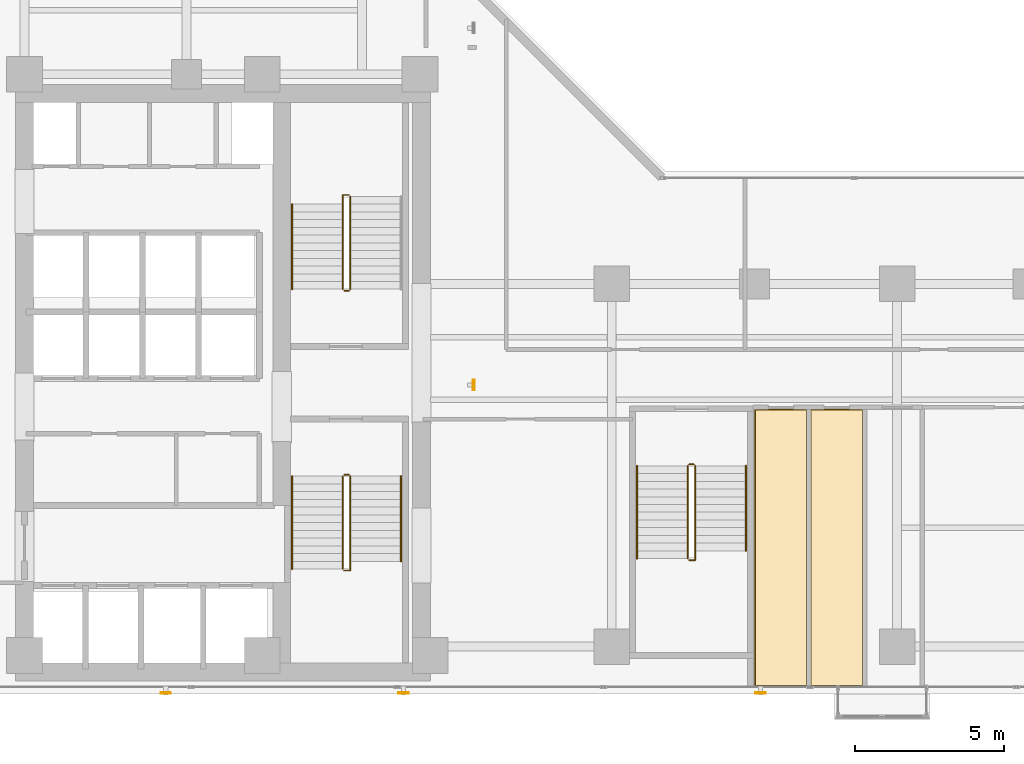
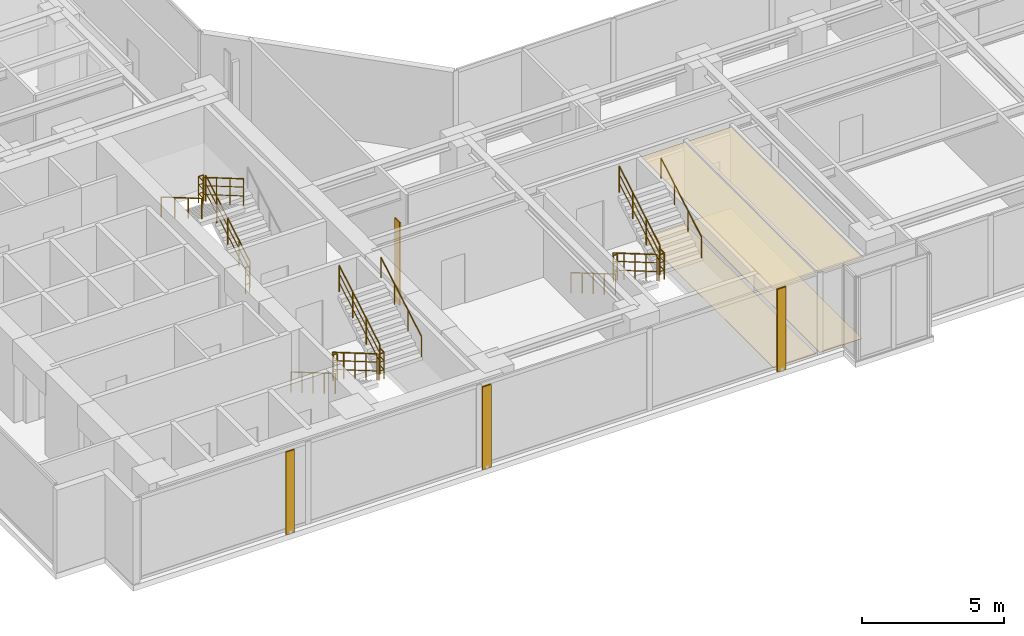
# One storey, part 24 of 27: 17 railings, 4 coverings, 4 shading devices.
"""IFC4 building model written with IfcOpenShell, lengths in metres."""

from ifc_helpers import new_model, si_unit, direction, frame, origin, origin_2d, place, context, subcontext, project, spatial, polyline, hollow_rectangle, circle, outline, extrude, material, layer, layer_set, material_profile, profile_set, type_object, element, save


model = new_model("IFC4")

# Units and contexts
model_context = context("Model", 3, precision=1e-05, world=origin(), true_north=direction((0.0, 1.0)))
body_context = subcontext(model_context, "Body", "Model", "MODEL_VIEW")
ifc_project = project(units=[si_unit("LENGTHUNIT", "METRE"), si_unit("AREAUNIT", "SQUARE_METRE"), si_unit("VOLUMEUNIT", "CUBIC_METRE"), si_unit("PLANEANGLEUNIT", "RADIAN"), si_unit("MASSUNIT", "GRAM", prefix="KILO")], contexts=[model_context])

# Site, building, storey
site_placement = place(None, origin())
site = spatial("IfcSite", under=ifc_project, at=site_placement, CompositionType="ELEMENT")
building_placement = place(site_placement, origin())
building = spatial("IfcBuilding", under=site, at=building_placement, Name="Kolvaren Waterfront Exchange", CompositionType="ELEMENT")
storey_placement = place(building_placement, frame((0.0, 0.0, 161.39990234375)))
storey = spatial("IfcBuildingStorey", under=building, at=storey_placement, Name="L41", CompositionType="ELEMENT", Elevation=161.39990234375)

# Coverings
ifc_material_1 = material(Name="Mineral fibre acoustic ceiling tile")
ifc_layer_1 = layer(ifc_material_1, 0.02490234375, Name="Mineral fibre acoustic ceiling tile")
ifc_layer_set_1 = layer_set([ifc_layer_1], Name="Mineral fibre acoustic ceiling tile")
covering_type_1 = type_object("IfcCoveringType", Name="ARC-CEIL-ACOUSTIC-25", PredefinedType="CEILING", material=ifc_layer_set_1)
covering_1_placement = place(storey_placement, frame((0.0, 0.0, 3.445068359375)))
element("IfcCovering", 1, at=covering_1_placement, inside=storey, type_object=covering_type_1, Name="L41 acoustic suspended ceiling 2", PredefinedType="CEILING", context=body_context, shape_type="SweptSolid", body=[
    extrude(outline(polyline([(33.784912109375, 3.864990234375), (33.784912109375, 13.195068359375), (32.0, 13.195068359375), (32.0, 4.800048828125), (31.9951171875, 4.800048828125), (31.9951171875, 3.864990234375), (33.784912109375, 3.864990234375)])), origin(), (0.0, 0.0, 1.0), 0.025146484375),
])
covering_2_placement = place(storey_placement, frame((0.0, 0.0, 3.445068359375)))
element("IfcCovering", 2, at=covering_2_placement, inside=storey, type_object=covering_type_1, Name="L41 acoustic suspended ceiling 3", PredefinedType="CEILING", context=body_context, shape_type="SweptSolid", body=[
    extrude(outline(polyline([(35.6650390625, 3.864990234375), (35.6650390625, 13.195068359375), (33.875, 13.195068359375), (33.875, 3.864990234375), (35.6650390625, 3.864990234375)])), origin(), (0.0, 0.0, 1.0), 0.025146484375),
])

# Shading devices
ifc_material_2 = material(Name="Anodised bronze aluminium 6063-T6", Category="aluminium")
ifc_material_profile = material_profile(ifc_material_2, hollow_rectangle(XDim=0.06005859375, YDim=0.35009765625, WallThickness=0.0048828125, at=origin_2d()), Name="BRZ-FIN-350x60x5")
ifc_profile_set = profile_set([ifc_material_profile], Name="Anodised bronze aluminium 6063-T6")
shading_device_type = type_object("IfcShadingDeviceType", Name="ARC-FIN-350", PredefinedType="USERDEFINED", material=ifc_profile_set)
for number, where, z_axis, x_axis, name in (
    (3, (12.199951171875, 3.639892578125, 0.0), (0.0, 0.0, 1.0), (0.0, -1.0, 0.0), "L41 anodised bronze solar shading fin FIN-L41-S1"),
    (4, (20.199951171875, 3.639892578125, 0.0), (0.0, 0.0, 1.0), (0.0, -1.0, 0.0), "L41 anodised bronze solar shading fin FIN-L41-S2"),
    (5, (32.199951171875, 3.639892578125, 0.0), (0.0, 0.0, 1.0), (0.0, -1.0, 0.0), "L41 anodised bronze solar shading fin FIN-L41-S3"),
    (6, (22.56005859375, 14.0, 0.0), (0.0, 0.0, 1.0), (1.0, 0.0, 0.0), "L41 anodised bronze solar shading fin FIN-L41-E1"),
):
    element("IfcShadingDevice", number, at=place(storey_placement, frame(where, z_axis=z_axis, x_axis=x_axis)), inside=storey, type_object=shading_device_type, Name=name, ObjectType="SOLAR FIN", PredefinedType="USERDEFINED", context=body_context, shape_type="SweptSolid", body=[
        extrude(hollow_rectangle(XDim=0.06005859375, YDim=0.35009765625, WallThickness=0.0048828125, at=origin_2d()), origin(), (0.0, 0.0, 1.0), 3.56005859375),
    ])

# Coverings
ifc_material_3 = material(Name="Slip-resistant porcelain tile")
ifc_layer_2 = layer(ifc_material_3, 0.014892578125, Name="Slip-resistant porcelain tile")
ifc_layer_set_2 = layer_set([ifc_layer_2], Name="Slip-resistant porcelain tile")
covering_type_2 = type_object("IfcCoveringType", Name="ARC-FLR-PORC-15", PredefinedType="FLOORING", material=ifc_layer_set_2)
covering_3_placement = place(storey_placement, origin())
element("IfcCovering", 7, at=covering_3_placement, inside=storey, type_object=covering_type_2, Name="L41 floor finish 2", PredefinedType="FLOORING", context=body_context, shape_type="SweptSolid", body=[
    extrude(outline(polyline([(32.030029296875, 13.159912109375), (32.030029296875, 3.89990234375), (33.75, 3.89990234375), (33.75, 13.159912109375), (32.030029296875, 13.159912109375)])), origin(), (0.0, 0.0, 1.0), 0.01513671875),
])
covering_4_placement = place(storey_placement, origin())
element("IfcCovering", 8, at=covering_4_placement, inside=storey, type_object=covering_type_2, Name="L41 floor finish 3", PredefinedType="FLOORING", context=body_context, shape_type="SweptSolid", body=[
    extrude(outline(polyline([(33.909912109375, 13.159912109375), (33.909912109375, 3.89990234375), (35.6298828125, 3.89990234375), (35.6298828125, 13.159912109375), (33.909912109375, 13.159912109375)])), origin(), (0.0, 0.0, 1.0), 0.01513671875),
])

# Railings
ifc_material_4 = material(Name="Stainless steel 316", Category="steel")
railing_type_1 = type_object("IfcRailingType", Name="ARC-GUARD-STAIR", PredefinedType="GUARDRAIL", material=ifc_material_4)
railing_1_placement = place(storey_placement, frame((18.14990234375, 10.929931640625, 0.152099609375)))
element("IfcRailing", 9, at=railing_1_placement, inside=storey, type_object=railing_type_1, Name="L41 ST1 stair guard 1", PredefinedType="GUARDRAIL", context=body_context, shape_type="SweptSolid", body=[
    extrude(circle(Radius=0.02392578125, at=origin_2d()), frame((0.0, 0.0, 1.1259765625), z_axis=(0.0, -0.86329090724, 0.504706656858), x_axis=(1.0, 0.0, 0.0)), (0.0, 0.0, 1.0), 3.614013671875),
    extrude(circle(Radius=0.01611328125, at=origin_2d()), frame((0.0, 0.0, 0.390869140625), z_axis=(0.0, -0.86329090724, 0.504706656858), x_axis=(1.0, 0.0, 0.0)), (0.0, 0.0, 1.0), 3.614013671875),
    extrude(circle(Radius=0.01611328125, at=origin_2d()), frame((0.0, 0.0, 0.7705078125), z_axis=(0.0, -0.86329090724, 0.504706656858), x_axis=(1.0, 0.0, 0.0)), (0.0, 0.0, 1.0), 3.614013671875),
    extrude(circle(Radius=0.02099609375, at=origin_2d()), origin(), (0.0, 0.0, 1.0), 1.101806640625),
    extrude(circle(Radius=0.02099609375, at=origin_2d()), frame((0.0, -0.780029296875, 0.4560546875)), (0.0, 0.0, 1.0), 1.101806640625),
    extrude(circle(Radius=0.02099609375, at=origin_2d()), frame((0.0, -1.56005859375, 0.912109375)), (0.0, 0.0, 1.0), 1.101806640625),
    extrude(circle(Radius=0.02099609375, at=origin_2d()), frame((0.0, -2.33984375, 1.367919921875)), (0.0, 0.0, 1.0), 1.101806640625),
    extrude(circle(Radius=0.02099609375, at=origin_2d()), frame((0.0, -3.119873046875, 1.823974609375)), (0.0, 0.0, 1.0), 1.101806640625),
])
railing_2_placement = place(storey_placement, frame((18.199951171875, 7.760009765625, 1.97607421875)))
element("IfcRailing", 10, at=railing_2_placement, inside=storey, type_object=railing_type_1, Name="L41 ST1 stair guard 2", PredefinedType="GUARDRAIL", context=body_context, shape_type="SweptSolid", body=[
    extrude(circle(Radius=0.02392578125, at=origin_2d()), frame((0.0, 0.0, 1.1259765625), z_axis=(1.0, 0.0, 0.0), x_axis=(0.0, 1.0, 0.0)), (0.0, 0.0, 1.0), 0.2099609375),
    extrude(circle(Radius=0.01611328125, at=origin_2d()), frame((0.0, 0.0, 0.390869140625), z_axis=(1.0, 0.0, 0.0), x_axis=(0.0, 1.0, 0.0)), (0.0, 0.0, 1.0), 0.2099609375),
    extrude(circle(Radius=0.01611328125, at=origin_2d()), frame((0.0, 0.0, 0.7705078125), z_axis=(1.0, 0.0, 0.0), x_axis=(0.0, 1.0, 0.0)), (0.0, 0.0, 1.0), 0.2099609375),
    extrude(circle(Radius=0.02392578125, at=origin_2d()), frame((0.2099609375, 0.0, 1.1259765625), z_axis=(0.0, 1.0, 0.0), x_axis=(-1.0, 0.0, 0.0)), (0.0, 0.0, 1.0), 0.31005859375),
    extrude(circle(Radius=0.01611328125, at=origin_2d()), frame((0.2099609375, 0.0, 0.390869140625), z_axis=(0.0, 1.0, 0.0), x_axis=(-1.0, 0.0, 0.0)), (0.0, 0.0, 1.0), 0.31005859375),
    extrude(circle(Radius=0.01611328125, at=origin_2d()), frame((0.2099609375, 0.0, 0.7705078125), z_axis=(0.0, 1.0, 0.0), x_axis=(-1.0, 0.0, 0.0)), (0.0, 0.0, 1.0), 0.31005859375),
    extrude(circle(Radius=0.02099609375, at=origin_2d()), origin(), (0.0, 0.0, 1.0), 1.101806640625),
    extrude(circle(Radius=0.02099609375, at=origin_2d()), frame((0.2099609375, 0.0, 0.0)), (0.0, 0.0, 1.0), 1.101806640625),
    extrude(circle(Radius=0.02099609375, at=origin_2d()), frame((0.2099609375, 0.31005859375, 0.0)), (0.0, 0.0, 1.0), 1.101806640625),
])
railing_3_placement = place(storey_placement, frame((18.409912109375, 8.070068359375, 2.128173828125)))
element("IfcRailing", 11, at=railing_3_placement, inside=storey, type_object=railing_type_1, Name="L41 ST1 stair guard 3", PredefinedType="GUARDRAIL", context=body_context, shape_type="SweptSolid", body=[
    extrude(circle(Radius=0.02392578125, at=origin_2d()), frame((0.0, 0.0, 1.1259765625), z_axis=(0.0, 0.86330272217, 0.504686447108), x_axis=(-1.0, 0.0, 0.0)), (0.0, 0.0, 1.0), 3.312744140625),
    extrude(circle(Radius=0.01611328125, at=origin_2d()), frame((0.0, 0.0, 0.390869140625), z_axis=(0.0, 0.86330272217, 0.504686447108), x_axis=(-1.0, 0.0, 0.0)), (0.0, 0.0, 1.0), 3.312744140625),
    extrude(circle(Radius=0.01611328125, at=origin_2d()), frame((0.0, 0.0, 0.7705078125), z_axis=(0.0, 0.86330272217, 0.504686447108), x_axis=(-1.0, 0.0, 0.0)), (0.0, 0.0, 1.0), 3.312744140625),
    extrude(circle(Radius=0.02099609375, at=origin_2d()), origin(), (0.0, 0.0, 1.0), 1.101806640625),
    extrude(circle(Radius=0.02099609375, at=origin_2d()), frame((0.0, 0.953369140625, 0.557373046875)), (0.0, 0.0, 1.0), 1.101806640625),
    extrude(circle(Radius=0.02099609375, at=origin_2d()), frame((0.0, 1.906494140625, 1.114501953125)), (0.0, 0.0, 1.0), 1.101806640625),
    extrude(circle(Radius=0.02099609375, at=origin_2d()), frame((0.0, 2.85986328125, 1.671875)), (0.0, 0.0, 1.0), 1.101806640625),
])
railing_4_placement = place(storey_placement, frame((18.199951171875, 10.97998046875, 0.0)))
element("IfcRailing", 12, at=railing_4_placement, inside=storey, type_object=railing_type_1, Name="L41 ST1 stair guard 4", PredefinedType="GUARDRAIL", context=body_context, shape_type="SweptSolid", body=[
    extrude(circle(Radius=0.02392578125, at=origin_2d()), frame((0.0, 0.0, 1.1259765625), z_axis=(1.0, 0.0, 0.0), x_axis=(0.0, 1.0, 0.0)), (0.0, 0.0, 1.0), 0.16015625),
    extrude(circle(Radius=0.01611328125, at=origin_2d()), frame((0.0, 0.0, 0.390869140625), z_axis=(1.0, 0.0, 0.0), x_axis=(0.0, 1.0, 0.0)), (0.0, 0.0, 1.0), 0.16015625),
    extrude(circle(Radius=0.01611328125, at=origin_2d()), frame((0.0, 0.0, 0.7705078125), z_axis=(1.0, 0.0, 0.0), x_axis=(0.0, 1.0, 0.0)), (0.0, 0.0, 1.0), 0.16015625),
    extrude(circle(Radius=0.02099609375, at=origin_2d()), origin(), (0.0, 0.0, 1.0), 1.101806640625),
    extrude(circle(Radius=0.02099609375, at=origin_2d()), frame((0.16015625, 0.0, 0.0)), (0.0, 0.0, 1.0), 1.101806640625),
])
railing_5_placement = place(storey_placement, frame((18.409912109375, 17.219970703125, 0.152099609375)))
element("IfcRailing", 13, at=railing_5_placement, inside=storey, type_object=railing_type_1, Name="L41 ST2 stair guard 1", PredefinedType="GUARDRAIL", context=body_context, shape_type="SweptSolid", body=[
    extrude(circle(Radius=0.02392578125, at=origin_2d()), frame((0.0, 0.0, 1.1259765625), z_axis=(0.0, 0.86330811405, 0.504677223793), x_axis=(-1.0, 0.0, 0.0)), (0.0, 0.0, 1.0), 3.6142578125),
    extrude(circle(Radius=0.01611328125, at=origin_2d()), frame((0.0, 0.0, 0.390869140625), z_axis=(0.0, 0.86330811405, 0.504677223793), x_axis=(-1.0, 0.0, 0.0)), (0.0, 0.0, 1.0), 3.6142578125),
    extrude(circle(Radius=0.01611328125, at=origin_2d()), frame((0.0, 0.0, 0.7705078125), z_axis=(0.0, 0.86330811405, 0.504677223793), x_axis=(-1.0, 0.0, 0.0)), (0.0, 0.0, 1.0), 3.6142578125),
    extrude(circle(Radius=0.02099609375, at=origin_2d()), origin(), (0.0, 0.0, 1.0), 1.101806640625),
    extrude(circle(Radius=0.02099609375, at=origin_2d()), frame((0.0, 0.780029296875, 0.4560546875)), (0.0, 0.0, 1.0), 1.101806640625),
    extrude(circle(Radius=0.02099609375, at=origin_2d()), frame((0.0, 1.56005859375, 0.912109375)), (0.0, 0.0, 1.0), 1.101806640625),
    extrude(circle(Radius=0.02099609375, at=origin_2d()), frame((0.0, 2.340087890625, 1.367919921875)), (0.0, 0.0, 1.0), 1.101806640625),
    extrude(circle(Radius=0.02099609375, at=origin_2d()), frame((0.0, 3.1201171875, 1.823974609375)), (0.0, 0.0, 1.0), 1.101806640625),
])
railing_6_placement = place(storey_placement, frame((18.360107421875, 20.389892578125, 1.97607421875)))
element("IfcRailing", 14, at=railing_6_placement, inside=storey, type_object=railing_type_1, Name="L41 ST2 stair guard 2", PredefinedType="GUARDRAIL", context=body_context, shape_type="SweptSolid", body=[
    extrude(circle(Radius=0.02392578125, at=origin_2d()), frame((0.0, 0.0, 1.1259765625), z_axis=(-1.0, 0.0, 0.0), x_axis=(0.0, -1.0, 0.0)), (0.0, 0.0, 1.0), 0.210205078125),
    extrude(circle(Radius=0.01611328125, at=origin_2d()), frame((0.0, 0.0, 0.390869140625), z_axis=(-1.0, 0.0, 0.0), x_axis=(0.0, -1.0, 0.0)), (0.0, 0.0, 1.0), 0.210205078125),
    extrude(circle(Radius=0.01611328125, at=origin_2d()), frame((0.0, 0.0, 0.7705078125), z_axis=(-1.0, 0.0, 0.0), x_axis=(0.0, -1.0, 0.0)), (0.0, 0.0, 1.0), 0.210205078125),
    extrude(circle(Radius=0.02392578125, at=origin_2d()), frame((-0.210205078125, 0.0, 1.1259765625), z_axis=(0.0, -1.0, 0.0), x_axis=(1.0, 0.0, 0.0)), (0.0, 0.0, 1.0), 0.309814453125),
    extrude(circle(Radius=0.01611328125, at=origin_2d()), frame((-0.210205078125, 0.0, 0.390869140625), z_axis=(0.0, -1.0, 0.0), x_axis=(1.0, 0.0, 0.0)), (0.0, 0.0, 1.0), 0.309814453125),
    extrude(circle(Radius=0.01611328125, at=origin_2d()), frame((-0.210205078125, 0.0, 0.7705078125), z_axis=(0.0, -1.0, 0.0), x_axis=(1.0, 0.0, 0.0)), (0.0, 0.0, 1.0), 0.309814453125),
    extrude(circle(Radius=0.02099609375, at=origin_2d()), origin(), (0.0, 0.0, 1.0), 1.101806640625),
    extrude(circle(Radius=0.02099609375, at=origin_2d()), frame((-0.210205078125, 0.0, 0.0)), (0.0, 0.0, 1.0), 1.101806640625),
    extrude(circle(Radius=0.02099609375, at=origin_2d()), frame((-0.210205078125, -0.309814453125, 0.0)), (0.0, 0.0, 1.0), 1.101806640625),
])
railing_7_placement = place(storey_placement, frame((18.14990234375, 20.080078125, 2.128173828125)))
element("IfcRailing", 15, at=railing_7_placement, inside=storey, type_object=railing_type_1, Name="L41 ST2 stair guard 3", PredefinedType="GUARDRAIL", context=body_context, shape_type="SweptSolid", body=[
    extrude(circle(Radius=0.02392578125, at=origin_2d()), frame((0.0, 0.0, 1.1259765625), z_axis=(0.0, -0.863321491973, 0.504654338629), x_axis=(1.0, 0.0, 0.0)), (0.0, 0.0, 1.0), 3.31298828125),
    extrude(circle(Radius=0.01611328125, at=origin_2d()), frame((0.0, 0.0, 0.390869140625), z_axis=(0.0, -0.863321491973, 0.504654338629), x_axis=(1.0, 0.0, 0.0)), (0.0, 0.0, 1.0), 3.31298828125),
    extrude(circle(Radius=0.01611328125, at=origin_2d()), frame((0.0, 0.0, 0.7705078125), z_axis=(0.0, -0.863321491973, 0.504654338629), x_axis=(1.0, 0.0, 0.0)), (0.0, 0.0, 1.0), 3.31298828125),
    extrude(circle(Radius=0.02099609375, at=origin_2d()), origin(), (0.0, 0.0, 1.0), 1.101806640625),
    extrude(circle(Radius=0.02099609375, at=origin_2d()), frame((0.0, -0.953369140625, 0.557373046875)), (0.0, 0.0, 1.0), 1.101806640625),
    extrude(circle(Radius=0.02099609375, at=origin_2d()), frame((0.0, -1.90673828125, 1.114501953125)), (0.0, 0.0, 1.0), 1.101806640625),
    extrude(circle(Radius=0.02099609375, at=origin_2d()), frame((0.0, -2.860107421875, 1.671875)), (0.0, 0.0, 1.0), 1.101806640625),
])
railing_8_placement = place(storey_placement, frame((18.360107421875, 17.169921875, 0.0)))
element("IfcRailing", 16, at=railing_8_placement, inside=storey, type_object=railing_type_1, Name="L41 ST2 stair guard 4", PredefinedType="GUARDRAIL", context=body_context, shape_type="SweptSolid", body=[
    extrude(circle(Radius=0.02392578125, at=origin_2d()), frame((0.0, 0.0, 1.1259765625), z_axis=(-1.0, 0.0, 0.0), x_axis=(0.0, -1.0, 0.0)), (0.0, 0.0, 1.0), 0.16015625),
    extrude(circle(Radius=0.01611328125, at=origin_2d()), frame((0.0, 0.0, 0.390869140625), z_axis=(-1.0, 0.0, 0.0), x_axis=(0.0, -1.0, 0.0)), (0.0, 0.0, 1.0), 0.16015625),
    extrude(circle(Radius=0.01611328125, at=origin_2d()), frame((0.0, 0.0, 0.7705078125), z_axis=(-1.0, 0.0, 0.0), x_axis=(0.0, -1.0, 0.0)), (0.0, 0.0, 1.0), 0.16015625),
    extrude(circle(Radius=0.02099609375, at=origin_2d()), origin(), (0.0, 0.0, 1.0), 1.101806640625),
    extrude(circle(Radius=0.02099609375, at=origin_2d()), frame((-0.16015625, 0.0, 0.0)), (0.0, 0.0, 1.0), 1.101806640625),
])
railing_9_placement = place(storey_placement, frame((29.75, 11.280029296875, 0.152099609375)))
element("IfcRailing", 17, at=railing_9_placement, inside=storey, type_object=railing_type_1, Name="L41 ST3 stair guard 1", PredefinedType="GUARDRAIL", context=body_context, shape_type="SweptSolid", body=[
    extrude(circle(Radius=0.02392578125, at=origin_2d()), frame((0.0, 0.0, 1.1259765625), z_axis=(0.0, -0.86330811405, 0.504677223793), x_axis=(1.0, 0.0, 0.0)), (0.0, 0.0, 1.0), 3.6142578125),
    extrude(circle(Radius=0.01611328125, at=origin_2d()), frame((0.0, 0.0, 0.390869140625), z_axis=(0.0, -0.86330811405, 0.504677223793), x_axis=(1.0, 0.0, 0.0)), (0.0, 0.0, 1.0), 3.6142578125),
    extrude(circle(Radius=0.01611328125, at=origin_2d()), frame((0.0, 0.0, 0.7705078125), z_axis=(0.0, -0.86330811405, 0.504677223793), x_axis=(1.0, 0.0, 0.0)), (0.0, 0.0, 1.0), 3.6142578125),
    extrude(circle(Radius=0.02099609375, at=origin_2d()), origin(), (0.0, 0.0, 1.0), 1.101806640625),
    extrude(circle(Radius=0.02099609375, at=origin_2d()), frame((0.0, -0.780029296875, 0.4560546875)), (0.0, 0.0, 1.0), 1.101806640625),
    extrude(circle(Radius=0.02099609375, at=origin_2d()), frame((0.0, -1.56005859375, 0.912109375)), (0.0, 0.0, 1.0), 1.101806640625),
    extrude(circle(Radius=0.02099609375, at=origin_2d()), frame((0.0, -2.340087890625, 1.367919921875)), (0.0, 0.0, 1.0), 1.101806640625),
    extrude(circle(Radius=0.02099609375, at=origin_2d()), frame((0.0, -3.1201171875, 1.823974609375)), (0.0, 0.0, 1.0), 1.101806640625),
])
railing_10_placement = place(storey_placement, frame((29.800048828125, 8.110107421875, 1.97607421875)))
element("IfcRailing", 18, at=railing_10_placement, inside=storey, type_object=railing_type_1, Name="L41 ST3 stair guard 2", PredefinedType="GUARDRAIL", context=body_context, shape_type="SweptSolid", body=[
    extrude(circle(Radius=0.02392578125, at=origin_2d()), frame((0.0, 0.0, 1.1259765625), z_axis=(1.0, 0.0, 0.0), x_axis=(0.0, 1.0, 0.0)), (0.0, 0.0, 1.0), 0.2099609375),
    extrude(circle(Radius=0.01611328125, at=origin_2d()), frame((0.0, 0.0, 0.390869140625), z_axis=(1.0, 0.0, 0.0), x_axis=(0.0, 1.0, 0.0)), (0.0, 0.0, 1.0), 0.2099609375),
    extrude(circle(Radius=0.01611328125, at=origin_2d()), frame((0.0, 0.0, 0.7705078125), z_axis=(1.0, 0.0, 0.0), x_axis=(0.0, 1.0, 0.0)), (0.0, 0.0, 1.0), 0.2099609375),
    extrude(circle(Radius=0.02392578125, at=origin_2d()), frame((0.2099609375, 0.0, 1.1259765625), z_axis=(0.0, 1.0, 0.0), x_axis=(-1.0, 0.0, 0.0)), (0.0, 0.0, 1.0), 0.309814453125),
    extrude(circle(Radius=0.01611328125, at=origin_2d()), frame((0.2099609375, 0.0, 0.390869140625), z_axis=(0.0, 1.0, 0.0), x_axis=(-1.0, 0.0, 0.0)), (0.0, 0.0, 1.0), 0.309814453125),
    extrude(circle(Radius=0.01611328125, at=origin_2d()), frame((0.2099609375, 0.0, 0.7705078125), z_axis=(0.0, 1.0, 0.0), x_axis=(-1.0, 0.0, 0.0)), (0.0, 0.0, 1.0), 0.309814453125),
    extrude(circle(Radius=0.02099609375, at=origin_2d()), origin(), (0.0, 0.0, 1.0), 1.101806640625),
    extrude(circle(Radius=0.02099609375, at=origin_2d()), frame((0.2099609375, 0.0, 0.0)), (0.0, 0.0, 1.0), 1.101806640625),
    extrude(circle(Radius=0.02099609375, at=origin_2d()), frame((0.2099609375, 0.309814453125, 0.0)), (0.0, 0.0, 1.0), 1.101806640625),
])
railing_11_placement = place(storey_placement, frame((30.010009765625, 8.419921875, 2.128173828125)))
element("IfcRailing", 19, at=railing_11_placement, inside=storey, type_object=railing_type_1, Name="L41 ST3 stair guard 3", PredefinedType="GUARDRAIL", context=body_context, shape_type="SweptSolid", body=[
    extrude(circle(Radius=0.02392578125, at=origin_2d()), frame((0.0, 0.0, 1.1259765625), z_axis=(0.0, 0.863321491973, 0.504654338629), x_axis=(-1.0, 0.0, 0.0)), (0.0, 0.0, 1.0), 3.31298828125),
    extrude(circle(Radius=0.01611328125, at=origin_2d()), frame((0.0, 0.0, 0.390869140625), z_axis=(0.0, 0.863321491973, 0.504654338629), x_axis=(-1.0, 0.0, 0.0)), (0.0, 0.0, 1.0), 3.31298828125),
    extrude(circle(Radius=0.01611328125, at=origin_2d()), frame((0.0, 0.0, 0.7705078125), z_axis=(0.0, 0.863321491973, 0.504654338629), x_axis=(-1.0, 0.0, 0.0)), (0.0, 0.0, 1.0), 3.31298828125),
    extrude(circle(Radius=0.02099609375, at=origin_2d()), origin(), (0.0, 0.0, 1.0), 1.101806640625),
    extrude(circle(Radius=0.02099609375, at=origin_2d()), frame((0.0, 0.953369140625, 0.557373046875)), (0.0, 0.0, 1.0), 1.101806640625),
    extrude(circle(Radius=0.02099609375, at=origin_2d()), frame((0.0, 1.90673828125, 1.114501953125)), (0.0, 0.0, 1.0), 1.101806640625),
    extrude(circle(Radius=0.02099609375, at=origin_2d()), frame((0.0, 2.860107421875, 1.671875)), (0.0, 0.0, 1.0), 1.101806640625),
])
railing_12_placement = place(storey_placement, frame((29.800048828125, 11.330078125, 0.0)))
element("IfcRailing", 20, at=railing_12_placement, inside=storey, type_object=railing_type_1, Name="L41 ST3 stair guard 4", PredefinedType="GUARDRAIL", context=body_context, shape_type="SweptSolid", body=[
    extrude(circle(Radius=0.02392578125, at=origin_2d()), frame((0.0, 0.0, 1.1259765625), z_axis=(1.0, 0.0, 0.0), x_axis=(0.0, 1.0, 0.0)), (0.0, 0.0, 1.0), 0.159912109375),
    extrude(circle(Radius=0.01611328125, at=origin_2d()), frame((0.0, 0.0, 0.390869140625), z_axis=(1.0, 0.0, 0.0), x_axis=(0.0, 1.0, 0.0)), (0.0, 0.0, 1.0), 0.159912109375),
    extrude(circle(Radius=0.01611328125, at=origin_2d()), frame((0.0, 0.0, 0.7705078125), z_axis=(1.0, 0.0, 0.0), x_axis=(0.0, 1.0, 0.0)), (0.0, 0.0, 1.0), 0.159912109375),
    extrude(circle(Radius=0.02099609375, at=origin_2d()), origin(), (0.0, 0.0, 1.0), 1.101806640625),
    extrude(circle(Radius=0.02099609375, at=origin_2d()), frame((0.159912109375, 0.0, 0.0)), (0.0, 0.0, 1.0), 1.101806640625),
])
railing_type_2 = type_object("IfcRailingType", Name="ARC-HANDRAIL-900", PredefinedType="HANDRAIL", material=ifc_material_4)
railing_13_placement = place(storey_placement, frame((16.449951171875, 10.929931640625, 0.152099609375)))
element("IfcRailing", 21, at=railing_13_placement, inside=storey, type_object=railing_type_2, Name="L41 ST1 stair handrail 1", PredefinedType="HANDRAIL", context=body_context, shape_type="SweptSolid", body=[
    extrude(circle(Radius=0.02392578125, at=origin_2d()), frame((0.0, 0.0, 0.8759765625), z_axis=(0.0, -0.86329090724, 0.504706656858), x_axis=(1.0, 0.0, 0.0)), (0.0, 0.0, 1.0), 3.614013671875),
    extrude(circle(Radius=0.02099609375, at=origin_2d()), origin(), (0.0, 0.0, 1.0), 0.851806640625),
    extrude(circle(Radius=0.02099609375, at=origin_2d()), frame((0.0, -0.780029296875, 0.4560546875)), (0.0, 0.0, 1.0), 0.851806640625),
    extrude(circle(Radius=0.02099609375, at=origin_2d()), frame((0.0, -1.56005859375, 0.912109375)), (0.0, 0.0, 1.0), 0.851806640625),
    extrude(circle(Radius=0.02099609375, at=origin_2d()), frame((0.0, -2.33984375, 1.367919921875)), (0.0, 0.0, 1.0), 0.851806640625),
    extrude(circle(Radius=0.02099609375, at=origin_2d()), frame((0.0, -3.119873046875, 1.823974609375)), (0.0, 0.0, 1.0), 0.851806640625),
])
railing_14_placement = place(storey_placement, frame((20.110107421875, 8.070068359375, 2.128173828125)))
element("IfcRailing", 22, at=railing_14_placement, inside=storey, type_object=railing_type_2, Name="L41 ST1 stair handrail 2", PredefinedType="HANDRAIL", context=body_context, shape_type="SweptSolid", body=[
    extrude(circle(Radius=0.02392578125, at=origin_2d()), frame((0.0, 0.0, 0.8759765625), z_axis=(0.0, 0.86330272217, 0.504686447108), x_axis=(-1.0, 0.0, 0.0)), (0.0, 0.0, 1.0), 3.312744140625),
    extrude(circle(Radius=0.02099609375, at=origin_2d()), origin(), (0.0, 0.0, 1.0), 0.851806640625),
    extrude(circle(Radius=0.02099609375, at=origin_2d()), frame((0.0, 0.953369140625, 0.557373046875)), (0.0, 0.0, 1.0), 0.851806640625),
    extrude(circle(Radius=0.02099609375, at=origin_2d()), frame((0.0, 1.906494140625, 1.114501953125)), (0.0, 0.0, 1.0), 0.851806640625),
    extrude(circle(Radius=0.02099609375, at=origin_2d()), frame((0.0, 2.85986328125, 1.671875)), (0.0, 0.0, 1.0), 0.851806640625),
])
railing_15_placement = place(storey_placement, frame((16.449951171875, 20.080078125, 2.128173828125)))
element("IfcRailing", 23, at=railing_15_placement, inside=storey, type_object=railing_type_2, Name="L41 ST2 stair handrail 2", PredefinedType="HANDRAIL", context=body_context, shape_type="SweptSolid", body=[
    extrude(circle(Radius=0.02392578125, at=origin_2d()), frame((0.0, 0.0, 0.8759765625), z_axis=(0.0, -0.863321491973, 0.504654338629), x_axis=(1.0, 0.0, 0.0)), (0.0, 0.0, 1.0), 3.31298828125),
    extrude(circle(Radius=0.02099609375, at=origin_2d()), origin(), (0.0, 0.0, 1.0), 0.851806640625),
    extrude(circle(Radius=0.02099609375, at=origin_2d()), frame((0.0, -0.953369140625, 0.557373046875)), (0.0, 0.0, 1.0), 0.851806640625),
    extrude(circle(Radius=0.02099609375, at=origin_2d()), frame((0.0, -1.90673828125, 1.114501953125)), (0.0, 0.0, 1.0), 0.851806640625),
    extrude(circle(Radius=0.02099609375, at=origin_2d()), frame((0.0, -2.860107421875, 1.671875)), (0.0, 0.0, 1.0), 0.851806640625),
])
railing_16_placement = place(storey_placement, frame((28.050048828125, 11.280029296875, 0.152099609375)))
element("IfcRailing", 24, at=railing_16_placement, inside=storey, type_object=railing_type_2, Name="L41 ST3 stair handrail 1", PredefinedType="HANDRAIL", context=body_context, shape_type="SweptSolid", body=[
    extrude(circle(Radius=0.02392578125, at=origin_2d()), frame((0.0, 0.0, 0.8759765625), z_axis=(0.0, -0.86330811405, 0.504677223793), x_axis=(1.0, 0.0, 0.0)), (0.0, 0.0, 1.0), 3.6142578125),
    extrude(circle(Radius=0.02099609375, at=origin_2d()), origin(), (0.0, 0.0, 1.0), 0.851806640625),
    extrude(circle(Radius=0.02099609375, at=origin_2d()), frame((0.0, -0.780029296875, 0.4560546875)), (0.0, 0.0, 1.0), 0.851806640625),
    extrude(circle(Radius=0.02099609375, at=origin_2d()), frame((0.0, -1.56005859375, 0.912109375)), (0.0, 0.0, 1.0), 0.851806640625),
    extrude(circle(Radius=0.02099609375, at=origin_2d()), frame((0.0, -2.340087890625, 1.367919921875)), (0.0, 0.0, 1.0), 0.851806640625),
    extrude(circle(Radius=0.02099609375, at=origin_2d()), frame((0.0, -3.1201171875, 1.823974609375)), (0.0, 0.0, 1.0), 0.851806640625),
])
railing_17_placement = place(storey_placement, frame((31.7099609375, 8.419921875, 2.128173828125)))
element("IfcRailing", 25, at=railing_17_placement, inside=storey, type_object=railing_type_2, Name="L41 ST3 stair handrail 2", PredefinedType="HANDRAIL", context=body_context, shape_type="SweptSolid", body=[
    extrude(circle(Radius=0.02392578125, at=origin_2d()), frame((0.0, 0.0, 0.8759765625), z_axis=(0.0, 0.863321491973, 0.504654338629), x_axis=(-1.0, 0.0, 0.0)), (0.0, 0.0, 1.0), 3.31298828125),
    extrude(circle(Radius=0.02099609375, at=origin_2d()), origin(), (0.0, 0.0, 1.0), 0.851806640625),
    extrude(circle(Radius=0.02099609375, at=origin_2d()), frame((0.0, 0.953369140625, 0.557373046875)), (0.0, 0.0, 1.0), 0.851806640625),
    extrude(circle(Radius=0.02099609375, at=origin_2d()), frame((0.0, 1.90673828125, 1.114501953125)), (0.0, 0.0, 1.0), 0.851806640625),
    extrude(circle(Radius=0.02099609375, at=origin_2d()), frame((0.0, 2.860107421875, 1.671875)), (0.0, 0.0, 1.0), 0.851806640625),
])

save(model, "model.ifc")
